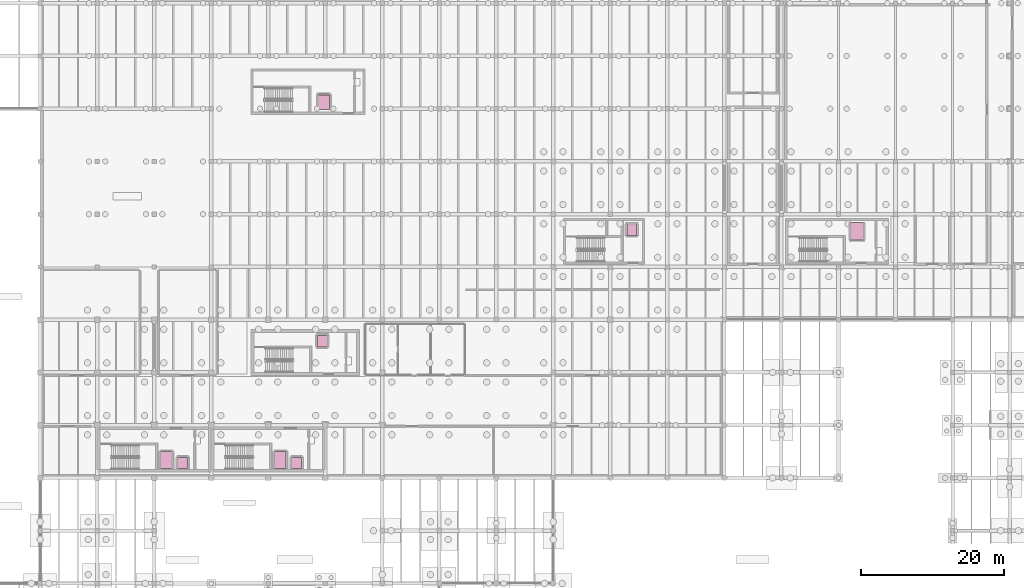
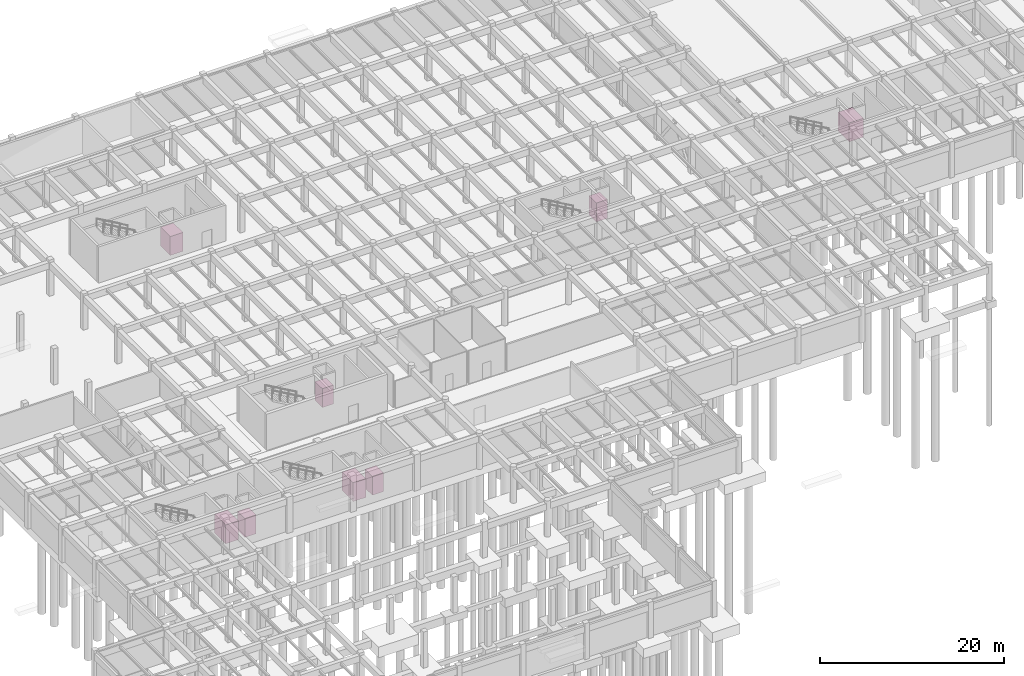
# One storey, part 40 of 40: 8 transport elements.
"""IFC4 building model written with IfcOpenShell, lengths in metres."""

from ifc_helpers import new_model, si_unit, direction, frame, origin, origin_2d, place, context, subcontext, project, spatial, rectangle, extrude, material, type_object, element, save


model = new_model("IFC4")

# Units and contexts
model_context = context("Model", 3, precision=1e-05, world=origin(), true_north=direction((0.0, 1.0)))
body_context = subcontext(model_context, "Body", "Model", "MODEL_VIEW")
ifc_project = project(units=[si_unit("LENGTHUNIT", "METRE"), si_unit("AREAUNIT", "SQUARE_METRE"), si_unit("VOLUMEUNIT", "CUBIC_METRE"), si_unit("PLANEANGLEUNIT", "RADIAN"), si_unit("MASSUNIT", "GRAM", prefix="KILO")], contexts=[model_context])

# Site, building, storey
site_placement = place(None, origin())
site = spatial("IfcSite", under=ifc_project, at=site_placement, CompositionType="ELEMENT")
building_placement = place(site_placement, origin())
building = spatial("IfcBuilding", under=site, at=building_placement, Name="Valkorina Park Police Headquarters", CompositionType="ELEMENT")
storey_placement = place(building_placement, frame((0.0, 0.0, -4.800048828125)))
storey = spatial("IfcBuildingStorey", under=building, at=storey_placement, Name="B01", CompositionType="ELEMENT", Elevation=-4.800048828125)

# Transport elements
ifc_material = material(Name="Stainless steel EN 1.4404", Category="steel")
transport_element_type_1 = type_object("IfcTransportElementType", Name="LF-CUST-1600x2100", PredefinedType="ELEVATOR", material=ifc_material)
transport_element_1_placement = place(storey_placement, frame((48.60009765625, 89.699951171875, 0.0), z_axis=(0.0, 0.0, 1.0), x_axis=(1.0, 0.0, 0.0)))
element("IfcTransportElement", 1, at=transport_element_1_placement, inside=storey, type_object=transport_element_type_1, Name="Lift LF-06 (Passenger/Goods Car)", PredefinedType="ELEVATOR", context=body_context, shape_type="SweptSolid", body=[
    extrude(rectangle(XDim=1.60009765625, YDim=2.10009765625, at=origin_2d()), origin(), (0.0, 0.0, 1.0), 2.5),
])
transport_element_type_2 = type_object("IfcTransportElementType", Name="LF-FF-1600x2400", PredefinedType="ELEVATOR", material=ifc_material)
for number, where, z_axis, x_axis, name in (
    (2, (26.5, 39.5, 0.0), (0.0, 0.0, 1.0), (1.0, 0.0, 0.0), "Lift LF-01 (Firefighting and Stretcher Car)"),
    (3, (42.5, 39.5, 0.0), (0.0, 0.0, 1.0), (1.0, 0.0, 0.0), "Lift LF-02 (Firefighting and Stretcher Car)"),
):
    element("IfcTransportElement", number, at=place(storey_placement, frame(where, z_axis=z_axis, x_axis=x_axis)), inside=storey, type_object=transport_element_type_2, Name=name, PredefinedType="ELEVATOR", context=body_context, shape_type="SweptSolid", body=[
        extrude(rectangle(XDim=1.60009765625, YDim=2.39990234375, at=origin_2d()), origin(), (0.0, 0.0, 1.0), 2.5),
    ])
transport_element_type_3 = type_object("IfcTransportElementType", Name="LF-GOODS-1800x2400", PredefinedType="ELEVATOR", material=ifc_material)
transport_element_2_placement = place(storey_placement, frame((123.39990234375, 71.60009765625, 0.0), z_axis=(0.0, 0.0, 1.0), x_axis=(1.0, 0.0, 0.0)))
element("IfcTransportElement", 4, at=transport_element_2_placement, inside=storey, type_object=transport_element_type_3, Name="Lift LF-07 (Passenger/Goods Car)", PredefinedType="ELEVATOR", context=body_context, shape_type="SweptSolid", body=[
    extrude(rectangle(XDim=1.800048828125, YDim=2.39990234375, at=origin_2d()), origin(), (0.0, 0.0, 1.0), 2.5),
])
transport_element_type_4 = type_object("IfcTransportElementType", Name="LF-PAX-1400x1600", PredefinedType="ELEVATOR", material=ifc_material)
for number, where, z_axis, x_axis, name in (
    (5, (28.800048828125, 39.10009765625, 0.0), (0.0, 0.0, 1.0), (1.0, 0.0, 0.0), "Lift LF-03 (Passenger/Goods Car)"),
    (6, (44.800048828125, 39.10009765625, 0.0), (0.0, 0.0, 1.0), (1.0, 0.0, 0.0), "Lift LF-04 (Passenger/Goods Car)"),
    (7, (48.39990234375, 56.199951171875, 0.0), (0.0, 0.0, 1.0), (1.0, 0.0, 0.0), "Lift LF-05 (Passenger/Goods Car)"),
    (8, (91.800048828125, 71.800048828125, 0.0), (0.0, 0.0, 1.0), (1.0, 0.0, 0.0), "Lift LF-08 (Passenger/Goods Car)"),
):
    element("IfcTransportElement", number, at=place(storey_placement, frame(where, z_axis=z_axis, x_axis=x_axis)), inside=storey, type_object=transport_element_type_4, Name=name, PredefinedType="ELEVATOR", context=body_context, shape_type="SweptSolid", body=[
        extrude(rectangle(XDim=1.39990234375, YDim=1.60009765625, at=origin_2d()), origin(), (0.0, 0.0, 1.0), 2.5),
    ])

save(model, "model.ifc")
